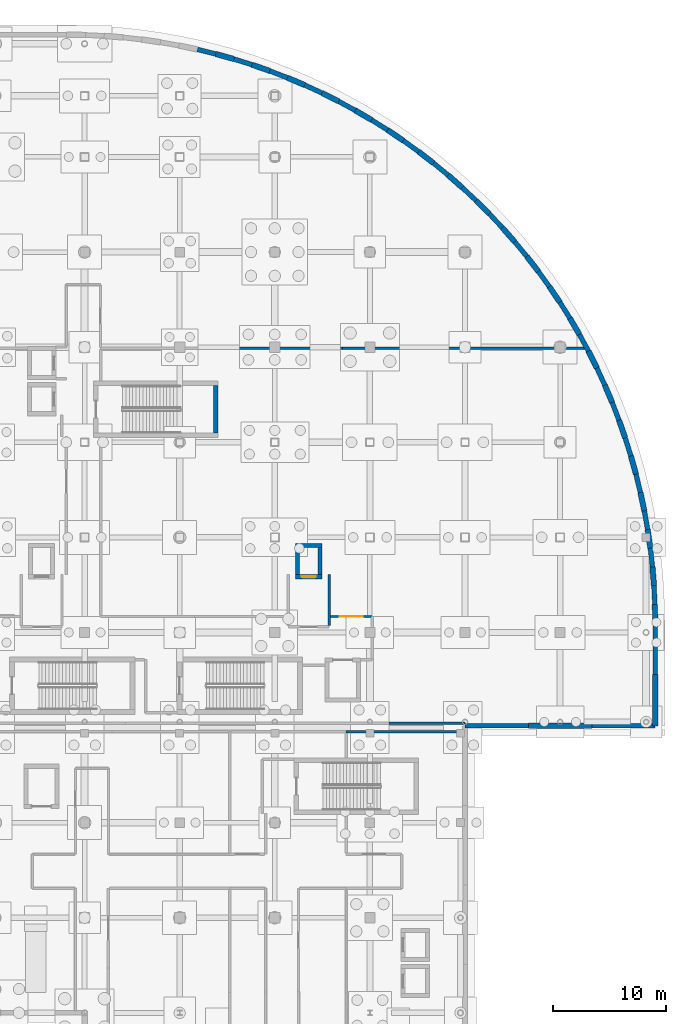
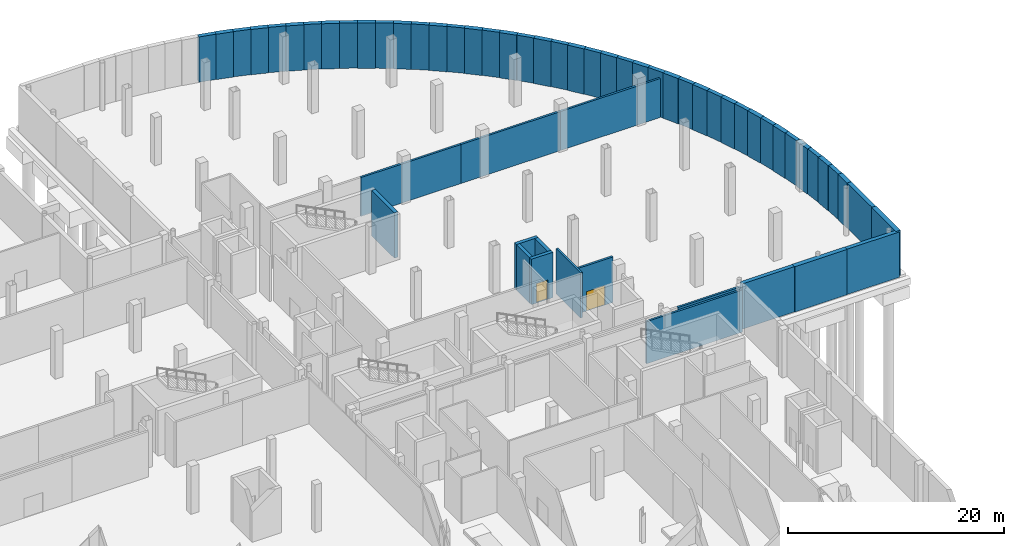
# One storey, part 35 of 49: 59 walls, 2 doors, 2 openings.
"""IFC4 building model written with IfcOpenShell, lengths in metres."""

from ifc_helpers import new_model, si_unit, direction, frame, frame_2d, origin, place, context, subcontext, project, spatial, rectangle, extrude, material, layer, layer_set, type_object, element, fill, save


model = new_model("IFC4")

# Units and contexts
model_context = context("Model", 3, precision=1e-05, world=origin(), true_north=direction((0.0, 1.0)))
body_context = subcontext(model_context, "Body", "Model", "MODEL_VIEW")
ifc_project = project(units=[si_unit("LENGTHUNIT", "METRE"), si_unit("AREAUNIT", "SQUARE_METRE"), si_unit("VOLUMEUNIT", "CUBIC_METRE"), si_unit("PLANEANGLEUNIT", "RADIAN"), si_unit("MASSUNIT", "GRAM", prefix="KILO"), si_unit("THERMODYNAMICTEMPERATUREUNIT", "KELVIN")], contexts=[model_context])

# Site, building, storey
site_placement = place(None, origin())
site = spatial("IfcSite", under=ifc_project, at=site_placement, CompositionType="ELEMENT")
building_placement = place(site_placement, origin())
building = spatial("IfcBuilding", under=site, at=building_placement, Name="Lustrewick Department Store", CompositionType="ELEMENT")
storey_placement = place(building_placement, frame((0.0, 0.0, -5.39990234375)))
storey = spatial("IfcBuildingStorey", under=building, at=storey_placement, Name="B1", CompositionType="ELEMENT", Elevation=-5.39990234375)

# Wall
ifc_material_1 = material(Name="Autoclaved aerated concrete blockwork and fire board", Category="masonry")
ifc_layer_1 = layer(ifc_material_1, 0.219970703125, Name="Autoclaved aerated concrete blockwork and fire board")
ifc_layer_set_1 = layer_set([ifc_layer_1], Name="Autoclaved aerated concrete blockwork and fire board")
wall_type_1 = type_object("IfcWallType", Name="PW01", PredefinedType="PARTITIONING", material=ifc_layer_set_1)
wall_1_placement = place(storey_placement, frame((150.965087890625, 50.0400390625, 0.0), z_axis=(0.0, 0.0, 1.0), x_axis=(-1.0, 0.0, 0.0)))
element("IfcWall", 1, at=wall_1_placement, inside=storey, type_object=wall_type_1, Name="B1 Merchandise Receiving Room PW01", PredefinedType="PARTITIONING", context=body_context, shape_type="SweptSolid", body=[
    extrude(rectangle(XDim=10.253662109375, YDim=0.219970703125, at=frame_2d((5.126953125, 0.0))), origin(), (0.0, 0.0, 1.0), 4.77197265625),
])

# Wall, opening, door
wall_2_placement = place(storey_placement, frame((139.297607421875, 60.2099609375, 0.0), z_axis=(0.0, 0.0, 1.0), x_axis=(1.0, 0.0, 0.0)))
wall_2 = element("IfcWall", 2, at=wall_2_placement, inside=storey, type_object=wall_type_1, Name="B1 Central Merchandise Stockroom PW01", PredefinedType="PARTITIONING", context=body_context, shape_type="SweptSolid", body=[
    extrude(rectangle(XDim=3.702392578125, YDim=0.219970703125, at=frame_2d((1.85107421875, 0.0))), origin(), (0.0, 0.0, 1.0), 5.14501953125),
])
opening_1_placement = place(wall_2_placement, frame((0.851318359375, 0.0, 0.0)))
opening_1 = element("IfcOpeningElement", 3, at=opening_1_placement, cuts=wall_2, Name="Opening D-B1-068", PredefinedType="OPENING", context=body_context, shape_type="SweptSolid", body=[
    extrude(rectangle(XDim=2.0, YDim=2.199951171875, at=frame_2d((1.0, 1.10009765625))), frame((0.0, 0.1201171875, 0.0), z_axis=(0.0, -1.0, 0.0), x_axis=(1.0, 0.0, 0.0)), (0.0, 0.0, 1.0), 0.239990234375),
])
ifc_material_2 = material(Name="Steel fire door Class A EI 90", Category="steel")
door_type_1 = type_object("IfcDoorType", Name="DT-06", OperationType="NOTDEFINED", PredefinedType="DOOR", material=ifc_material_2)
door_1_placement = place(opening_1_placement, origin())
door_1 = element("IfcDoor", 4, at=door_1_placement, inside=storey, type_object=door_type_1, Name="B1 Central Merchandise Stockroom Door D-B1-068", OperationType="DOUBLE_DOOR_SINGLE_SWING", OverallHeight=2.199951171875, OverallWidth=2.0, PredefinedType="DOOR", context=body_context, shape_type="SweptSolid", body=[
    extrude(rectangle(XDim=2.0, YDim=2.199951171875, at=frame_2d((1.0, 1.10009765625))), frame((0.0, 0.02490234375, 0.0), z_axis=(0.0, -1.0, 0.0), x_axis=(1.0, 0.0, 0.0)), (0.0, 0.0, 1.0), 0.050048828125),
])
fill(opening_1, door_1)

# Walls
wall_3_placement = place(storey_placement, frame((161.741943359375, 83.88818359375, 0.0), z_axis=(0.0, 0.0, 1.0), x_axis=(-1.0, 0.0, 0.0)))
element("IfcWall", 5, at=wall_3_placement, inside=storey, type_object=wall_type_1, Name="B1 Central Merchandise Stockroom PW01", PredefinedType="PARTITIONING", context=body_context, shape_type="SweptSolid", body=[
    extrude(rectangle(XDim=10.687255859375, YDim=0.219970703125, at=frame_2d((5.34375, 0.0))), origin(), (0.0, 0.0, 1.0), 4.413818359375),
])
wall_4_placement = place(storey_placement, frame((151.0546875, 83.88818359375, 0.0), z_axis=(0.0, 0.0, 1.0), x_axis=(-1.0, 0.0, 0.0)))
element("IfcWall", 6, at=wall_4_placement, inside=storey, type_object=wall_type_1, Name="B1 Central Merchandise Stockroom PW01", PredefinedType="PARTITIONING", context=body_context, shape_type="SweptSolid", body=[
    extrude(rectangle(XDim=10.681640625, YDim=0.219970703125, at=frame_2d((5.3408203125, 0.0))), origin(), (0.0, 0.0, 1.0), 4.413818359375),
])
wall_5_placement = place(storey_placement, frame((140.373046875, 83.88818359375, 0.0), z_axis=(0.0, 0.0, 1.0), x_axis=(-1.0, 0.0, 0.0)))
element("IfcWall", 7, at=wall_5_placement, inside=storey, type_object=wall_type_1, Name="B1 Central Merchandise Stockroom PW01", PredefinedType="PARTITIONING", context=body_context, shape_type="SweptSolid", body=[
    extrude(rectangle(XDim=10.681396484375, YDim=0.219970703125, at=frame_2d((5.3408203125, 0.0))), origin(), (0.0, 0.0, 1.0), 4.413818359375),
])
wall_6_placement = place(storey_placement, frame((144.498046875, 50.760009765625, 0.0), z_axis=(0.0, 0.0, 1.0), x_axis=(1.0, 0.0, 0.0)))
element("IfcWall", 8, at=wall_6_placement, inside=storey, type_object=wall_type_1, Name="B1 Central Merchandise Stockroom PW01", PredefinedType="PARTITIONING", context=body_context, shape_type="SweptSolid", body=[
    extrude(rectangle(XDim=6.701904296875, YDim=0.219970703125, at=frame_2d((3.35107421875, 0.0))), origin(), (0.0, 0.0, 1.0), 4.615966796875),
])
ifc_layer_2 = layer(ifc_material_1, 0.205078125, Name="Autoclaved aerated concrete blockwork and fire board")
ifc_layer_set_2 = layer_set([ifc_layer_2], Name="Autoclaved aerated concrete blockwork and fire board")
wall_type_2 = type_object("IfcWallType", Name="PW02", PredefinedType="PARTITIONING", material=ifc_layer_set_2)
wall_7_placement = place(storey_placement, frame((139.199951171875, 59.3974609375, 0.0), z_axis=(0.0, 0.0, 1.0), x_axis=(0.0, 1.0, 0.0)))
element("IfcWall", 9, at=wall_7_placement, inside=storey, type_object=wall_type_2, Name="B1 Firefighting Lift Lobby FFL-03 PW02", PredefinedType="PARTITIONING", context=body_context, shape_type="SweptSolid", body=[
    extrude(rectangle(XDim=4.50244140625, YDim=0.205078125, at=frame_2d((2.251220703125, 0.0))), origin(), (0.0, 0.0, 1.0), 5.14501953125),
])
ifc_material_3 = material(Name="Concrete C40", Category="concrete")
ifc_layer_3 = layer(ifc_material_3, 0.419921875, Name="Concrete C40")
ifc_layer_set_3 = layer_set([ifc_layer_3], Name="Concrete C40")
wall_type_3 = type_object("IfcWallType", Name="RW01", PredefinedType="USERDEFINED", material=ifc_layer_set_3)
for number, where, z_axis, x_axis, name in (
    (10, (127.571044921875, 110.29638671875, 0.0), (0.0, 0.0, 1.0), (0.971226826458, -0.238156359496, 0.0), "B1 Retaining Wall RW01 0065"),
    (11, (130.79541015625, 109.45068359375, 0.0), (0.0, 0.0, 1.0), (0.953991322778, -0.299834214299, 0.0), "B1 Retaining Wall RW01 0067"),
):
    element("IfcWall", number, at=place(storey_placement, frame(where, z_axis=z_axis, x_axis=x_axis)), inside=storey, type_object=wall_type_3, Name=name, ObjectType="RETAININGWALL", PredefinedType="USERDEFINED", context=body_context, shape_type="SweptSolid", body=[
        extrude(rectangle(XDim=1.666748046875, YDim=0.419921875, at=frame_2d((0.83349609375, 0.0))), origin(), (0.0, 0.0, 1.0), 5.1298828125),
    ])
for number, where, z_axis, x_axis, name in (
    (12, (133.958984375, 108.400390625, 0.0), (0.0, 0.0, 1.0), (0.932835058416, -0.360303696609, 0.0), "B1 Retaining Wall RW01 0069"),
    (13, (137.048583984375, 107.1494140625, 0.0), (0.0, 0.0, 1.0), (0.907852195258, -0.419290342801, 0.0), "B1 Retaining Wall RW01 0071"),
):
    element("IfcWall", number, at=place(storey_placement, frame(where, z_axis=z_axis, x_axis=x_axis)), inside=storey, type_object=wall_type_3, Name=name, ObjectType="RETAININGWALL", PredefinedType="USERDEFINED", context=body_context, shape_type="SweptSolid", body=[
        extrude(rectangle(XDim=1.6669921875, YDim=0.419921875, at=frame_2d((0.83349609375, 0.0))), origin(), (0.0, 0.0, 1.0), 5.1298828125),
    ])
wall_8_placement = place(storey_placement, frame((140.052001953125, 105.703125, 0.0), z_axis=(0.0, 0.0, 1.0), x_axis=(0.879112994826, -0.476613409724, 0.0)))
element("IfcWall", 14, at=wall_8_placement, inside=storey, type_object=wall_type_3, Name="B1 Retaining Wall RW01 0073", ObjectType="RETAININGWALL", PredefinedType="USERDEFINED", context=body_context, shape_type="SweptSolid", body=[
    extrude(rectangle(XDim=1.666748046875, YDim=0.419921875, at=frame_2d((0.83349609375, 0.0))), origin(), (0.0, 0.0, 1.0), 5.1298828125),
])
for number, where, z_axis, x_axis, name in (
    (15, (142.956298828125, 104.0673828125, 0.0), (0.0, 0.0, 1.0), (0.846794877028, -0.531919576853, 0.0), "B1 Retaining Wall RW01 0075"),
    (16, (145.75, 102.2490234375, 0.0), (0.0, 0.0, 1.0), (0.810883849923, -0.585207127378, 0.0), "B1 Retaining Wall RW01 0077"),
    (17, (148.42138671875, 100.255126953125, 0.0), (0.0, 0.0, 1.0), (0.771858358272, -0.63579452244, 0.0), "B1 Retaining Wall RW01 0079"),
    (18, (150.959716796875, 98.094482421875, 0.0), (0.0, 0.0, 1.0), (0.729372757668, -0.684116496199, 0.0), "B1 Retaining Wall RW01 0081"),
):
    element("IfcWall", number, at=place(storey_placement, frame(where, z_axis=z_axis, x_axis=x_axis)), inside=storey, type_object=wall_type_3, Name=name, ObjectType="RETAININGWALL", PredefinedType="USERDEFINED", context=body_context, shape_type="SweptSolid", body=[
        extrude(rectangle(XDim=1.6669921875, YDim=0.419921875, at=frame_2d((0.83349609375, 0.0))), origin(), (0.0, 0.0, 1.0), 5.1298828125),
    ])
wall_9_placement = place(storey_placement, frame((153.354248046875, 95.775390625, 0.0), z_axis=(0.0, 0.0, 1.0), x_axis=(0.684038569811, -0.72944584104, 0.0)))
element("IfcWall", 19, at=wall_9_placement, inside=storey, type_object=wall_type_3, Name="B1 Retaining Wall RW01 0083", ObjectType="RETAININGWALL", PredefinedType="USERDEFINED", context=body_context, shape_type="SweptSolid", body=[
    extrude(rectangle(XDim=1.666748046875, YDim=0.419921875, at=frame_2d((0.83349609375, 0.0))), origin(), (0.0, 0.0, 1.0), 5.1298828125),
])
wall_10_placement = place(storey_placement, frame((155.59521484375, 93.307861328125, 0.0), z_axis=(0.0, 0.0, 1.0), x_axis=(0.63595364507, -0.771727258377, 0.0)))
element("IfcWall", 20, at=wall_10_placement, inside=storey, type_object=wall_type_3, Name="B1 Retaining Wall RW01 0085", ObjectType="RETAININGWALL", PredefinedType="USERDEFINED", context=body_context, shape_type="SweptSolid", body=[
    extrude(rectangle(XDim=1.6669921875, YDim=0.419921875, at=frame_2d((0.83349609375, 0.0))), origin(), (0.0, 0.0, 1.0), 5.1298828125),
])
for number, where, z_axis, x_axis, name in (
    (21, (157.673583984375, 90.70166015625, 0.0), (0.0, 0.0, 1.0), (0.585180321902, -0.810903194505, 0.0), "B1 Retaining Wall RW01 0087"),
    (22, (159.58056640625, 87.9677734375, 0.0), (0.0, 0.0, 1.0), (0.531985550055, -0.846753431958, 0.0), "B1 Retaining Wall RW01 0089"),
    (23, (161.30859375, 85.1171875, 0.0), (0.0, 0.0, 1.0), (0.476787978947, -0.879018329235, 0.0), "B1 Retaining Wall RW01 0091"),
):
    element("IfcWall", number, at=place(storey_placement, frame(where, z_axis=z_axis, x_axis=x_axis)), inside=storey, type_object=wall_type_3, Name=name, ObjectType="RETAININGWALL", PredefinedType="USERDEFINED", context=body_context, shape_type="SweptSolid", body=[
        extrude(rectangle(XDim=1.666748046875, YDim=0.419921875, at=frame_2d((0.83349609375, 0.0))), origin(), (0.0, 0.0, 1.0), 5.1298828125),
    ])
wall_11_placement = place(storey_placement, frame((162.850341796875, 82.162109375, 0.0), z_axis=(0.0, 0.0, 1.0), x_axis=(0.419411036279, -0.907796443399, 0.0)))
element("IfcWall", 24, at=wall_11_placement, inside=storey, type_object=wall_type_3, Name="B1 Retaining Wall RW01 0093", ObjectType="RETAININGWALL", PredefinedType="USERDEFINED", context=body_context, shape_type="SweptSolid", body=[
    extrude(rectangle(XDim=1.667236328125, YDim=0.419921875, at=frame_2d((0.83349609375, 0.0))), origin(), (0.0, 0.0, 1.0), 5.1298828125),
])
wall_12_placement = place(storey_placement, frame((164.19970703125, 79.114013671875, 0.0), z_axis=(0.0, 0.0, 1.0), x_axis=(0.360303696609, -0.932835058416, 0.0)))
element("IfcWall", 25, at=wall_12_placement, inside=storey, type_object=wall_type_3, Name="B1 Retaining Wall RW01 0095", ObjectType="RETAININGWALL", PredefinedType="USERDEFINED", context=body_context, shape_type="SweptSolid", body=[
    extrude(rectangle(XDim=1.6669921875, YDim=0.419921875, at=frame_2d((0.83349609375, 0.0))), origin(), (0.0, 0.0, 1.0), 5.1298828125),
])
for number, where, z_axis, x_axis, name in (
    (26, (165.350830078125, 75.985595703125, 0.0), (0.0, 0.0, 1.0), (0.299834214299, -0.953991322778, 0.0), "B1 Retaining Wall RW01 0097"),
    (27, (166.29931640625, 72.7900390625, 0.0), (0.0, 0.0, 1.0), (0.238156359496, -0.971226826458, 0.0), "B1 Retaining Wall RW01 0099"),
):
    element("IfcWall", number, at=place(storey_placement, frame(where, z_axis=z_axis, x_axis=x_axis)), inside=storey, type_object=wall_type_3, Name=name, ObjectType="RETAININGWALL", PredefinedType="USERDEFINED", context=body_context, shape_type="SweptSolid", body=[
        extrude(rectangle(XDim=1.666748046875, YDim=0.419921875, at=frame_2d((0.83349609375, 0.0))), origin(), (0.0, 0.0, 1.0), 5.1298828125),
    ])
wall_13_placement = place(storey_placement, frame((167.041015625, 69.540283203125, 0.0), z_axis=(0.0, 0.0, 1.0), x_axis=(0.175456075248, -0.984487260282, 0.0)))
element("IfcWall", 28, at=wall_13_placement, inside=storey, type_object=wall_type_3, Name="B1 Retaining Wall RW01 0101", ObjectType="RETAININGWALL", PredefinedType="USERDEFINED", context=body_context, shape_type="SweptSolid", body=[
    extrude(rectangle(XDim=1.6669921875, YDim=0.419921875, at=frame_2d((0.83349609375, 0.0))), origin(), (0.0, 0.0, 1.0), 5.1298828125),
])
wall_14_placement = place(storey_placement, frame((167.572998046875, 66.24951171875, 0.0), z_axis=(0.0, 0.0, 1.0), x_axis=(0.112055133137, -0.993701991111, 0.0)))
element("IfcWall", 29, at=wall_14_placement, inside=storey, type_object=wall_type_3, Name="B1 Retaining Wall RW01 0103", ObjectType="RETAININGWALL", PredefinedType="USERDEFINED", context=body_context, shape_type="SweptSolid", body=[
    extrude(rectangle(XDim=1.666748046875, YDim=0.419921875, at=frame_2d((0.83349609375, 0.0))), origin(), (0.0, 0.0, 1.0), 5.1298828125),
])
wall_15_placement = place(storey_placement, frame((167.893310546875, 62.931640625, 0.0), z_axis=(0.0, 0.0, 1.0), x_axis=(0.048038316995, -0.998845493608, 0.0)))
element("IfcWall", 30, at=wall_15_placement, inside=storey, type_object=wall_type_3, Name="B1 Retaining Wall RW01 0105", ObjectType="RETAININGWALL", PredefinedType="USERDEFINED", context=body_context, shape_type="SweptSolid", body=[
    extrude(rectangle(XDim=1.6669921875, YDim=0.419921875, at=frame_2d((0.83349609375, 0.0))), origin(), (0.0, 0.0, 1.0), 5.1298828125),
])
wall_16_placement = place(storey_placement, frame((168.0, 59.60009765625, 0.0), z_axis=(0.0, 0.0, 1.0), x_axis=(0.0, -1.0, 0.0)))
element("IfcWall", 31, at=wall_16_placement, inside=storey, type_object=wall_type_3, Name="B1 Retaining Wall RW01 0107", ObjectType="RETAININGWALL", PredefinedType="USERDEFINED", context=body_context, shape_type="SweptSolid", body=[
    extrude(rectangle(XDim=4.525146484375, YDim=0.419921875, at=frame_2d((2.2626953125, 0.0))), origin(), (0.0, 0.0, 1.0), 5.1298828125),
])
for number, where, z_axis, x_axis, name in (
    (32, (168.0, 50.550048828125, 0.0), (0.0, 0.0, 1.0), (-1.0, 0.0, 0.0), "B1 Retaining Wall RW01 0109"),
    (33, (156.800048828125, 50.550048828125, 0.0), (0.0, 0.0, 1.0), (-1.0, 0.0, 0.0), "B1 Retaining Wall RW01 0111"),
):
    element("IfcWall", number, at=place(storey_placement, frame(where, z_axis=z_axis, x_axis=x_axis)), inside=storey, type_object=wall_type_3, Name=name, ObjectType="RETAININGWALL", PredefinedType="USERDEFINED", context=body_context, shape_type="SweptSolid", body=[
        extrude(rectangle(XDim=5.60009765625, YDim=0.419921875, at=frame_2d((2.800048828125, 0.0))), origin(), (0.0, 0.0, 1.0), 5.1298828125),
    ])
ifc_layer_4 = layer(ifc_material_3, 0.47998046875, Name="Concrete C40")
ifc_layer_set_4 = layer_set([ifc_layer_4], Name="Concrete C40")
wall_type_4 = type_object("IfcWallType", Name="RW02", PredefinedType="USERDEFINED", material=ifc_layer_set_4)
for number, where, z_axis, x_axis, name in (
    (34, (129.18994140625, 109.8994140625, 0.0), (0.0, 0.0, 1.0), (0.96308864253, -0.269184447228, 0.0), "B1 Retaining Wall RW02 0066"),
    (35, (132.385498046875, 108.950927734375, 0.0), (0.0, 0.0, 1.0), (0.943892599877, -0.330252569856, 0.0), "B1 Retaining Wall RW02 0068"),
):
    element("IfcWall", number, at=place(storey_placement, frame(where, z_axis=z_axis, x_axis=x_axis)), inside=storey, type_object=wall_type_4, Name=name, ObjectType="RETAININGWALL", PredefinedType="USERDEFINED", context=body_context, shape_type="SweptSolid", body=[
        extrude(rectangle(XDim=1.6669921875, YDim=0.47998046875, at=frame_2d((0.83349609375, 0.0))), origin(), (0.0, 0.0, 1.0), 5.1298828125),
    ])
wall_17_placement = place(storey_placement, frame((135.513916015625, 107.7998046875, 0.0), z_axis=(0.0, 0.0, 1.0), x_axis=(0.920728531671, -0.390203755706, 0.0)))
element("IfcWall", 36, at=wall_17_placement, inside=storey, type_object=wall_type_4, Name="B1 Retaining Wall RW02 0070", ObjectType="RETAININGWALL", PredefinedType="USERDEFINED", context=body_context, shape_type="SweptSolid", body=[
    extrude(rectangle(XDim=1.666748046875, YDim=0.47998046875, at=frame_2d((0.83349609375, 0.0))), origin(), (0.0, 0.0, 1.0), 5.1298828125),
])
wall_18_placement = place(storey_placement, frame((138.56201171875, 106.450439453125, 0.0), z_axis=(0.0, 0.0, 1.0), x_axis=(0.89386993506, -0.448326375753, 0.0)))
element("IfcWall", 37, at=wall_18_placement, inside=storey, type_object=wall_type_4, Name="B1 Retaining Wall RW02 0072", ObjectType="RETAININGWALL", PredefinedType="USERDEFINED", context=body_context, shape_type="SweptSolid", body=[
    extrude(rectangle(XDim=1.6669921875, YDim=0.47998046875, at=frame_2d((0.83349609375, 0.0))), origin(), (0.0, 0.0, 1.0), 5.1298828125),
])
for number, where, z_axis, x_axis, name in (
    (38, (141.517333984375, 104.90869140625, 0.0), (0.0, 0.0, 1.0), (0.863279121384, -0.504726815794, 0.0), "B1 Retaining Wall RW02 0074"),
    (39, (144.367919921875, 103.1806640625, 0.0), (0.0, 0.0, 1.0), (0.82920001489, -0.558951997319, 0.0), "B1 Retaining Wall RW02 0076"),
    (40, (147.101806640625, 101.2734375, 0.0), (0.0, 0.0, 1.0), (0.7916810486, -0.610934626034, 0.0), "B1 Retaining Wall RW02 0078"),
):
    element("IfcWall", number, at=place(storey_placement, frame(where, z_axis=z_axis, x_axis=x_axis)), inside=storey, type_object=wall_type_4, Name=name, ObjectType="RETAININGWALL", PredefinedType="USERDEFINED", context=body_context, shape_type="SweptSolid", body=[
        extrude(rectangle(XDim=1.666748046875, YDim=0.47998046875, at=frame_2d((0.83349609375, 0.0))), origin(), (0.0, 0.0, 1.0), 5.1298828125),
    ])
for number, where, z_axis, x_axis, name in (
    (41, (149.7080078125, 99.1953125, 0.0), (0.0, 0.0, 1.0), (0.750913960524, -0.660400048372, 0.0), "B1 Retaining Wall RW02 0080"),
    (42, (152.175537109375, 96.9541015625, 0.0), (0.0, 0.0, 1.0), (0.707106781187, -0.707106781187, 0.0), "B1 Retaining Wall RW02 0082"),
    (43, (154.494384765625, 94.5595703125, 0.0), (0.0, 0.0, 1.0), (0.660400048372, -0.750913960524, 0.0), "B1 Retaining Wall RW02 0084"),
    (44, (156.6552734375, 92.021484375, 0.0), (0.0, 0.0, 1.0), (0.610863788379, -0.791735708458, 0.0), "B1 Retaining Wall RW02 0086"),
    (45, (158.64892578125, 89.35009765625, 0.0), (0.0, 0.0, 1.0), (0.558884114605, -0.829245769626, 0.0), "B1 Retaining Wall RW02 0088"),
    (46, (160.46728515625, 86.556396484375, 0.0), (0.0, 0.0, 1.0), (0.504663003671, -0.863316426767, 0.0), "B1 Retaining Wall RW02 0090"),
):
    element("IfcWall", number, at=place(storey_placement, frame(where, z_axis=z_axis, x_axis=x_axis)), inside=storey, type_object=wall_type_4, Name=name, ObjectType="RETAININGWALL", PredefinedType="USERDEFINED", context=body_context, shape_type="SweptSolid", body=[
        extrude(rectangle(XDim=1.6669921875, YDim=0.47998046875, at=frame_2d((0.83349609375, 0.0))), origin(), (0.0, 0.0, 1.0), 5.1298828125),
    ])
for number, where, z_axis, x_axis, name in (
    (47, (162.103271484375, 83.652099609375, 0.0), (0.0, 0.0, 1.0), (0.448209338965, -0.893928626046, 0.0), "B1 Retaining Wall RW02 0092"),
    (48, (163.549560546875, 80.648681640625, 0.0), (0.0, 0.0, 1.0), (0.39007957399, -0.92078114987, 0.0), "B1 Retaining Wall RW02 0094"),
):
    element("IfcWall", number, at=place(storey_placement, frame(where, z_axis=z_axis, x_axis=x_axis)), inside=storey, type_object=wall_type_4, Name=name, ObjectType="RETAININGWALL", PredefinedType="USERDEFINED", context=body_context, shape_type="SweptSolid", body=[
        extrude(rectangle(XDim=1.666748046875, YDim=0.47998046875, at=frame_2d((0.83349609375, 0.0))), origin(), (0.0, 0.0, 1.0), 5.1298828125),
    ])
for number, where, z_axis, x_axis, name in (
    (49, (164.80029296875, 77.55908203125, 0.0), (0.0, 0.0, 1.0), (0.330252569856, -0.943892599877, 0.0), "B1 Retaining Wall RW02 0096"),
    (50, (165.8505859375, 74.3955078125, 0.0), (0.0, 0.0, 1.0), (0.269184447228, -0.96308864253, 0.0), "B1 Retaining Wall RW02 0098"),
    (51, (166.6962890625, 71.171142578125, 0.0), (0.0, 0.0, 1.0), (0.206807613682, -0.978381628468, 0.0), "B1 Retaining Wall RW02 0100"),
    (52, (167.33349609375, 67.899169921875, 0.0), (0.0, 0.0, 1.0), (0.143676460631, -0.989624714051, 0.0), "B1 Retaining Wall RW02 0102"),
    (53, (167.759765625, 64.59326171875, 0.0), (0.0, 0.0, 1.0), (0.080111941316, -0.996785873123, 0.0), "B1 Retaining Wall RW02 0104"),
):
    element("IfcWall", number, at=place(storey_placement, frame(where, z_axis=z_axis, x_axis=x_axis)), inside=storey, type_object=wall_type_4, Name=name, ObjectType="RETAININGWALL", PredefinedType="USERDEFINED", context=body_context, shape_type="SweptSolid", body=[
        extrude(rectangle(XDim=1.6669921875, YDim=0.47998046875, at=frame_2d((0.83349609375, 0.0))), origin(), (0.0, 0.0, 1.0), 5.1298828125),
    ])
wall_19_placement = place(storey_placement, frame((167.973388671875, 61.2666015625, 0.0), z_axis=(0.0, 0.0, 1.0), x_axis=(0.015966320801, -0.999872530176, 0.0)))
element("IfcWall", 54, at=wall_19_placement, inside=storey, type_object=wall_type_4, Name="B1 Retaining Wall RW02 0106", ObjectType="RETAININGWALL", PredefinedType="USERDEFINED", context=body_context, shape_type="SweptSolid", body=[
    extrude(rectangle(XDim=1.666748046875, YDim=0.47998046875, at=frame_2d((0.83349609375, 0.0))), origin(), (0.0, 0.0, 1.0), 5.1298828125),
])
wall_20_placement = place(storey_placement, frame((168.0, 55.074951171875, 0.0), z_axis=(0.0, 0.0, 1.0), x_axis=(0.0, -1.0, 0.0)))
element("IfcWall", 55, at=wall_20_placement, inside=storey, type_object=wall_type_4, Name="B1 Retaining Wall RW02 0108", ObjectType="RETAININGWALL", PredefinedType="USERDEFINED", context=body_context, shape_type="SweptSolid", body=[
    extrude(rectangle(XDim=4.52490234375, YDim=0.47998046875, at=frame_2d((2.262451171875, 0.0))), origin(), (0.0, 0.0, 1.0), 5.1298828125),
])
wall_21_placement = place(storey_placement, frame((162.39990234375, 50.550048828125, 0.0), z_axis=(0.0, 0.0, 1.0), x_axis=(-1.0, 0.0, 0.0)))
element("IfcWall", 56, at=wall_21_placement, inside=storey, type_object=wall_type_4, Name="B1 Retaining Wall RW02 0110", ObjectType="RETAININGWALL", PredefinedType="USERDEFINED", context=body_context, shape_type="SweptSolid", body=[
    extrude(rectangle(XDim=5.599853515625, YDim=0.47998046875, at=frame_2d((2.7998046875, 0.0))), origin(), (0.0, 0.0, 1.0), 5.1298828125),
])
ifc_material_4 = material(Name="Concrete C50", Category="concrete")
ifc_layer_5 = layer(ifc_material_4, 0.39990234375, Name="Concrete C50")
ifc_layer_set_5 = layer_set([ifc_layer_5], Name="Concrete C50")
wall_type_5 = type_object("IfcWallType", Name="SW02", PredefinedType="SHEAR", material=ifc_layer_set_5)
wall_22_placement = place(storey_placement, frame((129.199951171875, 76.39990234375, 0.0), z_axis=(0.0, 0.0, 1.0), x_axis=(0.0, 1.0, 0.0)))
element("IfcWall", 57, at=wall_22_placement, inside=storey, type_object=wall_type_5, Name="B1 Stair Core ST10 Shear Wall E", PredefinedType="SHEAR", context=body_context, shape_type="SweptSolid", body=[
    extrude(rectangle(XDim=4.2001953125, YDim=0.39990234375, at=frame_2d((2.10009765625, 0.0))), origin(), (0.0, 0.0, 1.0), 5.14501953125),
])

# Wall, opening, door
ifc_layer_6 = layer(ifc_material_3, 0.360107421875, Name="Concrete C40")
ifc_layer_set_6 = layer_set([ifc_layer_6], Name="Concrete C40")
wall_type_6 = type_object("IfcWallType", Name="SW04", PredefinedType="SHEAR", material=ifc_layer_set_6)
wall_23_placement = place(storey_placement, frame((136.239990234375, 63.719970703125, 0.0), z_axis=(0.0, 0.0, 1.0), x_axis=(1.0, 0.0, 0.0)))
wall_23 = element("IfcWall", 58, at=wall_23_placement, inside=storey, type_object=wall_type_6, Name="B1 Lift FFL-03 Shaft Wall -Y", PredefinedType="SHEAR", context=body_context, shape_type="SweptSolid", body=[
    extrude(rectangle(XDim=2.320068359375, YDim=0.360107421875, at=frame_2d((1.16015625, 0.0))), origin(), (0.0, 0.0, 1.0), 5.14501953125),
])
opening_2_placement = place(wall_23_placement, frame((0.534912109375, 0.0, 0.0)))
opening_2 = element("IfcOpeningElement", 59, at=opening_2_placement, cuts=wall_23, Name="Opening LD-B1-03", PredefinedType="OPENING", context=body_context, shape_type="SweptSolid", body=[
    extrude(rectangle(XDim=1.25, YDim=2.199951171875, at=frame_2d((0.625, 1.10009765625))), frame((0.0, 0.18994140625, 0.0), z_axis=(0.0, -1.0, 0.0), x_axis=(1.0, 0.0, 0.0)), (0.0, 0.0, 1.0), 0.380126953125),
])
ifc_material_5 = material(Name="Stainless steel firefighting lift landing door EI 90", Category="steel")
door_type_2 = type_object("IfcDoorType", Name="DT-15", OperationType="NOTDEFINED", PredefinedType="DOOR", material=ifc_material_5)
door_2_placement = place(opening_2_placement, frame((1.25, 0.0, 0.0), z_axis=(0.0, 0.0, 1.0), x_axis=(-1.0, 0.0, 0.0)))
door_2 = element("IfcDoor", 60, at=door_2_placement, inside=storey, type_object=door_type_2, Name="B1 Lift FFL-03 Sliding Landing Door LD-B1-03", OperationType="DOUBLE_DOOR_SLIDING", OverallHeight=2.199951171875, OverallWidth=1.25, PredefinedType="DOOR", context=body_context, shape_type="SweptSolid", body=[
    extrude(rectangle(XDim=1.25, YDim=2.199951171875, at=frame_2d((0.625, 1.10009765625))), frame((0.0, 0.02490234375, 0.0), z_axis=(0.0, -1.0, 0.0), x_axis=(1.0, 0.0, 0.0)), (0.0, 0.0, 1.0), 0.050048828125),
])
fill(opening_2, door_2)

# Walls
wall_24_placement = place(storey_placement, frame((138.3798828125, 63.89990234375, 0.0), z_axis=(0.0, 0.0, 1.0), x_axis=(0.0, 1.0, 0.0)))
element("IfcWall", 61, at=wall_24_placement, inside=storey, type_object=wall_type_6, Name="B1 Lift FFL-03 Shaft Wall +X", PredefinedType="SHEAR", context=body_context, shape_type="SweptSolid", body=[
    extrude(rectangle(XDim=2.400146484375, YDim=0.360107421875, at=frame_2d((1.2001953125, 0.0))), origin(), (0.0, 0.0, 1.0), 5.14501953125),
])
wall_25_placement = place(storey_placement, frame((138.56005859375, 66.47998046875, 0.0), z_axis=(0.0, 0.0, 1.0), x_axis=(-1.0, 0.0, 0.0)))
element("IfcWall", 62, at=wall_25_placement, inside=storey, type_object=wall_type_6, Name="B1 Lift FFL-03 Shaft Wall +Y", PredefinedType="SHEAR", context=body_context, shape_type="SweptSolid", body=[
    extrude(rectangle(XDim=2.320068359375, YDim=0.360107421875, at=frame_2d((1.16015625, 0.0))), origin(), (0.0, 0.0, 1.0), 5.14501953125),
])
wall_26_placement = place(storey_placement, frame((136.419921875, 66.300048828125, 0.0), z_axis=(0.0, 0.0, 1.0), x_axis=(0.0, -1.0, 0.0)))
element("IfcWall", 63, at=wall_26_placement, inside=storey, type_object=wall_type_6, Name="B1 Lift FFL-03 Shaft Wall -X", PredefinedType="SHEAR", context=body_context, shape_type="SweptSolid", body=[
    extrude(rectangle(XDim=2.400146484375, YDim=0.360107421875, at=frame_2d((1.2001953125, 0.0))), origin(), (0.0, 0.0, 1.0), 5.14501953125),
])

save(model, "model.ifc")
